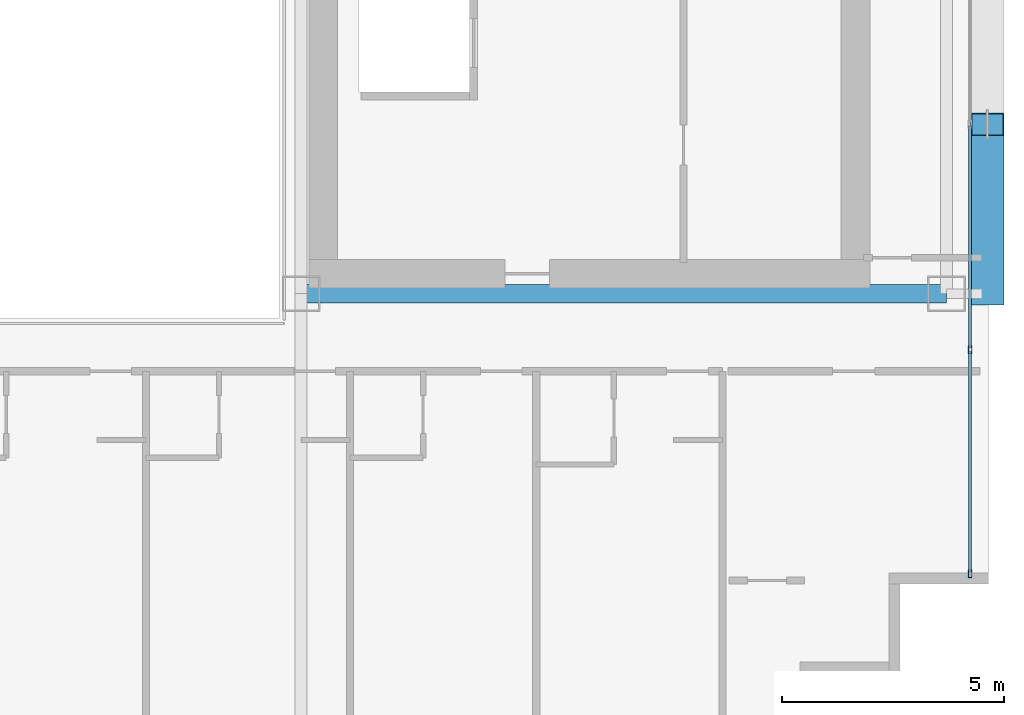
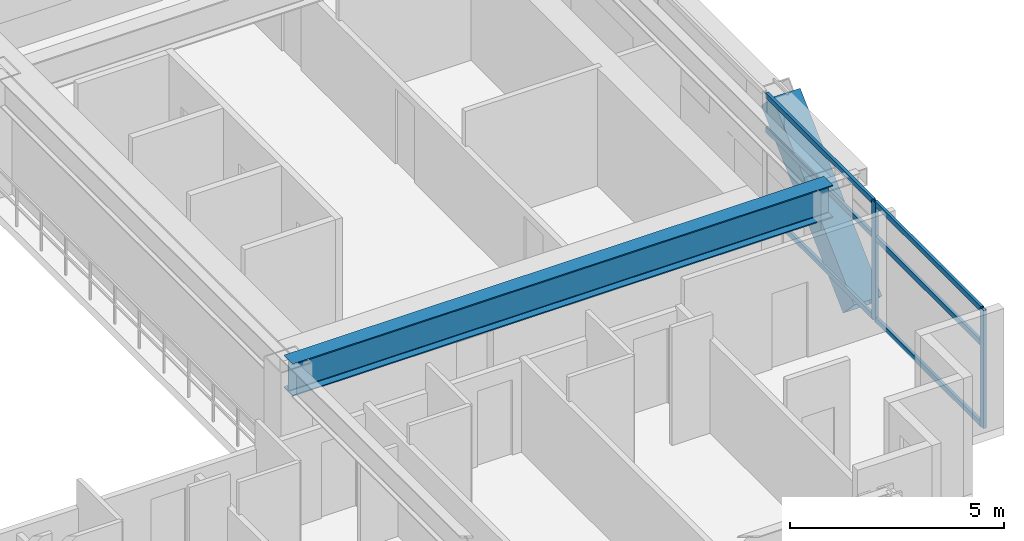
# One storey, part 11 of 36: 9 members, 1 beam, 1 element without a shape of its own.
"""IFC4 building model written with IfcOpenShell, lengths in metres."""

from ifc_helpers import new_model, si_unit, direction, frame, origin, origin_2d, place, context, subcontext, project, spatial, hollow_rectangle, i_section, extrude, source, transform, mapped, material, layer, layer_set, material_profile, profile_set, type_object, element, aggregate, save


model = new_model("IFC4")

# Units and contexts
model_context = context("Model", 3, precision=1e-05, world=origin(), true_north=direction((0.0, 1.0)))
body_context = subcontext(model_context, "Body", "Model", "MODEL_VIEW")
ifc_project = project(units=[si_unit("LENGTHUNIT", "METRE"), si_unit("AREAUNIT", "SQUARE_METRE"), si_unit("VOLUMEUNIT", "CUBIC_METRE"), si_unit("PLANEANGLEUNIT", "RADIAN"), si_unit("MASSUNIT", "GRAM", prefix="KILO")], contexts=[model_context])

# Site, building, storey
site_placement = place(None, origin())
site = spatial("IfcSite", under=ifc_project, at=site_placement, CompositionType="ELEMENT")
building_placement = place(site_placement, origin())
building = spatial("IfcBuilding", under=site, at=building_placement, Name="Ocotamira Hotel", CompositionType="ELEMENT")
storey_placement = place(building_placement, frame((0.0, 0.0, 97.199951171875)))
storey = spatial("IfcBuildingStorey", under=building, at=storey_placement, Name="L23", CompositionType="ELEMENT", Elevation=97.199951171875)

# Beam
ifc_material_1 = material(Name="Steel ASTM A992 Grade 50", Category="steel")
ifc_material_profile_1 = material_profile(ifc_material_1, i_section(OverallWidth=0.41796875, OverallDepth=0.927001953125, WebThickness=0.019287109375, FlangeThickness=0.031982421875, FilletRadius=0.02392578125, at=origin_2d()), Name="W36X231")
ifc_profile_set_1 = profile_set([ifc_material_profile_1], Name="Steel ASTM A992 Grade 50")
beam_type = type_object("IfcBeamType", Name="BM-GIRD-W36X231", PredefinedType="BEAM", material=ifc_profile_set_1)
shared_shape_1 = source(origin(), body_context, "Body", "SweptSolid", [
    extrude(i_section(OverallWidth=0.41796875, OverallDepth=0.927001953125, WebThickness=0.019287109375, FlangeThickness=0.031982421875, FilletRadius=0.02392578125, at=origin_2d()), origin(), (0.0, 0.0, 1.0), 14.550048828125),
])
beam_placement = place(storey_placement, frame((40.5, 14.550048828125, 2.896484375), z_axis=(1.0, 0.0, 0.0), x_axis=(0.0, 1.0, 0.0)))
element("IfcBeam", 1, at=beam_placement, inside=storey, type_object=beam_type, Name="L23 Girder Y14.55 X40.5-55.05", PredefinedType="BEAM", context=body_context, shape_type="MappedRepresentation", body=[
    mapped(shared_shape_1, transform((0.0, 0.0, 0.0), scale=1.0)),
])

# Member
ifc_material_2 = material(Name="Pale-metal coated steel ASTM A913 Grade 65", Category="steel")
ifc_material_profile_2 = material_profile(ifc_material_2, hollow_rectangle(XDim=0.75, YDim=0.75, WallThickness=0.028076171875, at=origin_2d()), Name="BOX750X750X28")
ifc_profile_set_2 = profile_set([ifc_material_profile_2], Name="Pale-metal coated steel ASTM A913 Grade 65")
member_type_1 = type_object("IfcMemberType", Name="MEM-EXO-BOX750", PredefinedType="BRACE", material=ifc_profile_set_2)
shared_shape_2 = source(origin(), body_context, "Body", "SweptSolid", [
    extrude(hollow_rectangle(XDim=0.75, YDim=0.75, WallThickness=0.028076171875, at=origin_2d()), origin(), (0.0, 0.0, 1.0), 5.24658203125),
])
member_1_placement = place(storey_placement, frame((55.969970703125, 14.550048828125, -0.489990234375), z_axis=(0.0, 0.727442733726, 0.686168397078), x_axis=(-1.0, 0.0, 0.0)))
element("IfcMember", 2, at=member_1_placement, inside=storey, type_object=member_type_1, Name="L23 Exoskeleton Diagrid E0.1", PredefinedType="BRACE", context=body_context, shape_type="MappedRepresentation", body=[
    mapped(shared_shape_2, transform((0.0, 0.0, 0.0), scale=1.0)),
])

# Curtain wall, members
ifc_material_3 = material(Name="Anodised pale-metal aluminium and solar glass", Category="aluminium")
ifc_layer = layer(ifc_material_3, 0.179931640625)
ifc_layer_set = layer_set([ifc_layer], Name="Anodised pale-metal aluminium and solar glass")
curtain_wall_type = type_object("IfcCurtainWallType", Name="CW-SYS3-Z2", PredefinedType="NOTDEFINED", material=ifc_layer_set)
curtain_wall_placement = place(storey_placement, origin())
curtain_wall = element("IfcCurtainWall", 3, at=curtain_wall_placement, inside=storey, type_object=curtain_wall_type, Name="L23 Curtain Wall CW-3 CW-L23-E", PredefinedType="NOTDEFINED")
ifc_material_4 = material(Name="Anodised pale-metal aluminium 6063-T6", Category="aluminium")
ifc_material_profile_3 = material_profile(ifc_material_4, hollow_rectangle(XDim=0.074951171875, YDim=0.14990234375, WallThickness=0.006103515625, at=origin_2d()), Name="HSS150X75X6")
ifc_profile_set_3 = profile_set([ifc_material_profile_3], Name="Anodised pale-metal aluminium 6063-T6")
member_type_2 = type_object("IfcMemberType", Name="CWT-150X75", PredefinedType="USERDEFINED", material=ifc_profile_set_3)
shared_shape_3 = source(origin(), body_context, "Body", "SweptSolid", [
    extrude(hollow_rectangle(XDim=0.074951171875, YDim=0.14990234375, WallThickness=0.006103515625, at=origin_2d()), origin(), (0.0, 0.0, 1.0), 4.965576171875),
])
member_2_placement = place(storey_placement, frame((55.580078125, 8.280029296875, 0.03759765625), z_axis=(0.0, 1.0, 0.0), x_axis=(-1.0, 0.0, 0.0)))
member_2 = element("IfcMember", 4, at=member_2_placement, type_object=member_type_2, Name="CW-3 transom 1.1", ObjectType="TRANSOM", PredefinedType="USERDEFINED", context=body_context, shape_type="MappedRepresentation", body=[
    mapped(shared_shape_3, transform((0.0, 0.0, 0.0), scale=1.0)),
])
member_3_placement = place(storey_placement, frame((55.580078125, 8.280029296875, 2.35009765625), z_axis=(0.0, 1.0, 0.0), x_axis=(-1.0, 0.0, 0.0)))
member_3 = element("IfcMember", 5, at=member_3_placement, type_object=member_type_2, Name="CW-3 transom 1.2", ObjectType="TRANSOM", PredefinedType="USERDEFINED", context=body_context, shape_type="MappedRepresentation", body=[
    mapped(shared_shape_3, transform((0.0, 0.0, 0.0), scale=1.0)),
])
member_4_placement = place(storey_placement, frame((55.580078125, 8.280029296875, 3.322509765625), z_axis=(0.0, 1.0, 0.0), x_axis=(-1.0, 0.0, 0.0)))
member_4 = element("IfcMember", 6, at=member_4_placement, type_object=member_type_2, Name="CW-3 transom 1.3", ObjectType="TRANSOM", PredefinedType="USERDEFINED", context=body_context, shape_type="MappedRepresentation", body=[
    mapped(shared_shape_3, transform((0.0, 0.0, 0.0), scale=1.0)),
])
shared_shape_4 = source(origin(), body_context, "Body", "SweptSolid", [
    extrude(hollow_rectangle(XDim=0.074951171875, YDim=0.14990234375, WallThickness=0.006103515625, at=origin_2d()), origin(), (0.0, 0.0, 1.0), 5.005859375),
])
member_5_placement = place(storey_placement, frame((55.580078125, 13.32568359375, 0.03759765625), z_axis=(0.0, 1.0, 0.0), x_axis=(-1.0, 0.0, 0.0)))
member_5 = element("IfcMember", 7, at=member_5_placement, type_object=member_type_2, Name="CW-3 transom 2.1", ObjectType="TRANSOM", PredefinedType="USERDEFINED", context=body_context, shape_type="MappedRepresentation", body=[
    mapped(shared_shape_4, transform((0.0, 0.0, 0.0), scale=1.0)),
])
member_6_placement = place(storey_placement, frame((55.580078125, 13.32568359375, 2.35009765625), z_axis=(0.0, 1.0, 0.0), x_axis=(-1.0, 0.0, 0.0)))
member_6 = element("IfcMember", 8, at=member_6_placement, type_object=member_type_2, Name="CW-3 transom 2.2", ObjectType="TRANSOM", PredefinedType="USERDEFINED", context=body_context, shape_type="MappedRepresentation", body=[
    mapped(shared_shape_4, transform((0.0, 0.0, 0.0), scale=1.0)),
])
member_7_placement = place(storey_placement, frame((55.580078125, 13.32568359375, 3.322509765625), z_axis=(0.0, 1.0, 0.0), x_axis=(-1.0, 0.0, 0.0)))
member_7 = element("IfcMember", 9, at=member_7_placement, type_object=member_type_2, Name="CW-3 transom 2.3", ObjectType="TRANSOM", PredefinedType="USERDEFINED", context=body_context, shape_type="MappedRepresentation", body=[
    mapped(shared_shape_4, transform((0.0, 0.0, 0.0), scale=1.0)),
])
ifc_material_profile_4 = material_profile(ifc_material_4, hollow_rectangle(XDim=0.080078125, YDim=0.179931640625, WallThickness=0.006103515625, at=origin_2d()), Name="HSS180X80X6")
ifc_profile_set_4 = profile_set([ifc_material_profile_4], Name="Anodised pale-metal aluminium 6063-T6")
member_type_3 = type_object("IfcMemberType", Name="CWM-180X75", PredefinedType="MULLION", material=ifc_profile_set_4)
shared_shape_5 = source(origin(), body_context, "Body", "SweptSolid", [
    extrude(hollow_rectangle(XDim=0.080078125, YDim=0.179931640625, WallThickness=0.006103515625, at=origin_2d()), origin(), (0.0, 0.0, 1.0), 3.360107421875),
])
member_8_placement = place(storey_placement, frame((55.580078125, 8.239990234375, 0.0), z_axis=(0.0, 0.0, 1.0), x_axis=(-1.0, 0.0, 0.0)))
member_8 = element("IfcMember", 10, at=member_8_placement, type_object=member_type_3, Name="CW-3 mullion 1", PredefinedType="MULLION", context=body_context, shape_type="MappedRepresentation", body=[
    mapped(shared_shape_5, transform((0.0, 0.0, 0.0), scale=1.0)),
])
member_9_placement = place(storey_placement, frame((55.580078125, 13.28564453125, 0.0), z_axis=(0.0, 0.0, 1.0), x_axis=(-1.0, 0.0, 0.0)))
member_9 = element("IfcMember", 11, at=member_9_placement, type_object=member_type_3, Name="CW-3 mullion 2", PredefinedType="MULLION", context=body_context, shape_type="MappedRepresentation", body=[
    mapped(shared_shape_5, transform((0.0, 0.0, 0.0), scale=1.0)),
])
aggregate(curtain_wall, [member_8, member_9, member_2, member_3, member_4, member_5, member_6, member_7])

save(model, "model.ifc")
